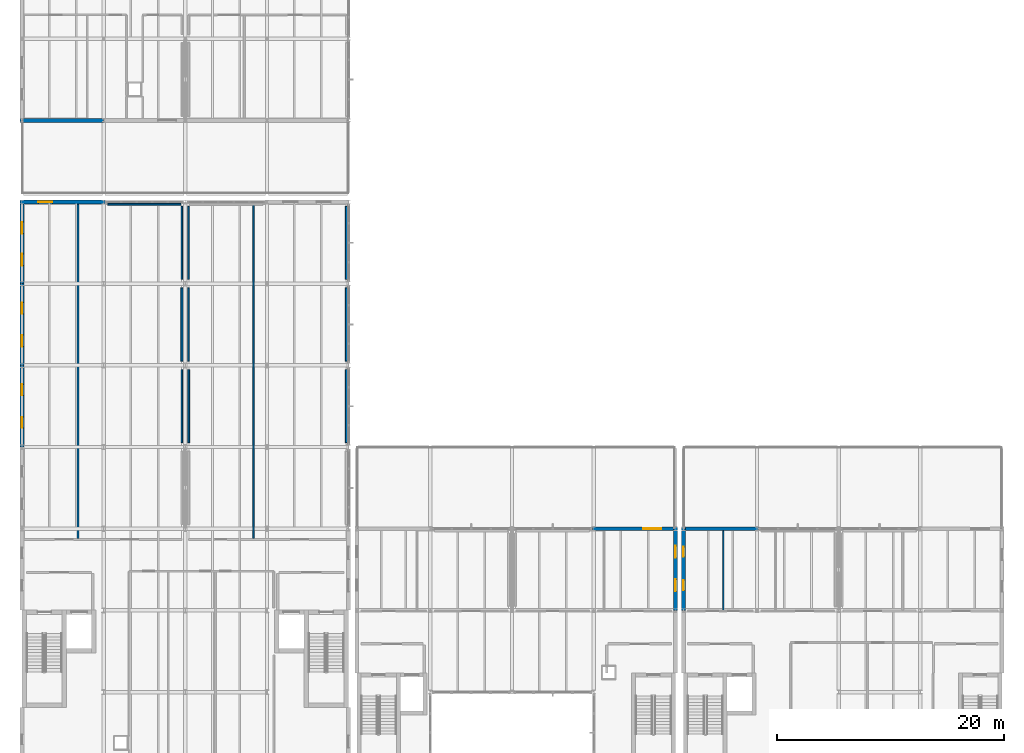
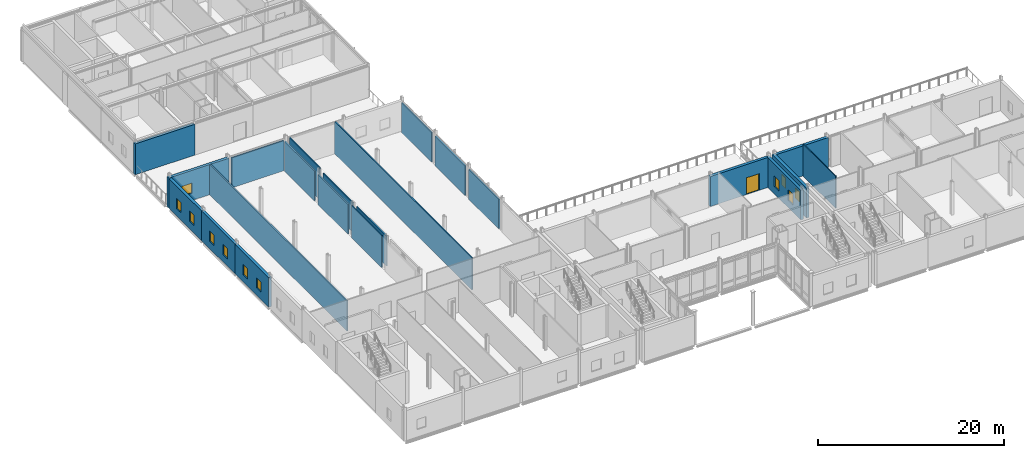
# One storey, part 38 of 53: 22 walls, 11 windows, 1 door, 12 openings.
"""IFC4 building model written with IfcOpenShell, lengths in metres."""

from ifc_helpers import new_model, si_unit, direction, frame, frame_2d, origin, place, context, subcontext, project, spatial, rectangle, extrude, material, layer, layer_set, type_object, element, fill, save


model = new_model("IFC4")

# Units and contexts
model_context = context("Model", 3, precision=1e-05, world=origin(), true_north=direction((0.0, 1.0)))
body_context = subcontext(model_context, "Body", "Model", "MODEL_VIEW")
ifc_project = project(units=[si_unit("LENGTHUNIT", "METRE"), si_unit("AREAUNIT", "SQUARE_METRE"), si_unit("VOLUMEUNIT", "CUBIC_METRE"), si_unit("PLANEANGLEUNIT", "RADIAN"), si_unit("MASSUNIT", "GRAM", prefix="KILO")], contexts=[model_context])

# Site, building, storey
site_placement = place(None, origin())
site = spatial("IfcSite", under=ifc_project, at=site_placement, CompositionType="ELEMENT")
building_placement = place(site_placement, origin())
building = spatial("IfcBuilding", under=site, at=building_placement, Name="Zarrinpeak Specialist Clinic", CompositionType="ELEMENT")
storey_placement = place(building_placement, frame((0.0, 0.0, 14.0)))
storey = spatial("IfcBuildingStorey", under=building, at=storey_placement, Name="L03", CompositionType="ELEMENT", Elevation=14.0)

# Wall, opening, window
ifc_material_1 = material(Name="Precast concrete C40/50", Category="concrete")
ifc_layer_1 = layer(ifc_material_1, 0.340087890625)
ifc_layer_set_1 = layer_set([ifc_layer_1], Name="Precast concrete C40/50")
wall_type_1 = type_object("IfcWallType", Name="WL-EW340", PredefinedType="STANDARD", material=ifc_layer_set_1)
wall_1_placement = place(storey_placement, frame((7.31005859375, 50.39990234375, 0.0), z_axis=(0.0, 0.0, 1.0), x_axis=(-1.0, 0.0, 0.0)))
wall_1 = element("IfcWall", 1, at=wall_1_placement, inside=storey, type_object=wall_type_1, Name="L03 V1 Exterior GRC Wall EW-L03-V1-0047", PredefinedType="STANDARD", context=body_context, shape_type="SweptSolid", body=[
    extrude(rectangle(XDim=7.47998046875, YDim=0.340087890625, at=frame_2d((3.739990234375, 0.0))), origin(), (0.0, 0.0, 1.0), 3.93505859375),
])
opening_1_placement = place(wall_1_placement, frame((4.618896484375, 0.0, 0.949951171875)))
opening_1 = element("IfcOpeningElement", 2, at=opening_1_placement, cuts=wall_1, Name="Opening WS-38", PredefinedType="OPENING", context=body_context, shape_type="SweptSolid", body=[
    extrude(rectangle(XDim=1.23388671875, YDim=1.33203125, at=frame_2d((0.616943359375, 0.666015625))), frame((0.0, 0.18017578125, 0.0), z_axis=(0.0, -1.0, 0.0), x_axis=(1.0, 0.0, 0.0)), (0.0, 0.0, 1.0), 0.360107421875),
])
ifc_material_2 = material(Name="Thermally Broken Aluminium and Low-E Glazing", Category="aluminium")
window_type_1 = type_object("IfcWindowType", Name="WN-SP38", PartitioningType="SINGLE_PANEL", PredefinedType="WINDOW", material=ifc_material_2)
window_1_placement = place(opening_1_placement, origin())
window_1 = element("IfcWindow", 3, at=window_1_placement, inside=storey, type_object=window_type_1, Name="L03 Modular Facade Window WN-L03-0069", OverallHeight=1.33203125, OverallWidth=1.23388671875, PartitioningType="SINGLE_PANEL", PredefinedType="WINDOW", context=body_context, shape_type="SweptSolid", body=[
    extrude(rectangle(XDim=1.23388671875, YDim=1.33203125, at=frame_2d((0.616943359375, 0.666015625))), frame((0.0, 0.030029296875, 0.0), z_axis=(0.0, -1.0, 0.0), x_axis=(1.0, 0.0, 0.0)), (0.0, 0.0, 1.0), 0.06005859375),
])
fill(opening_1, window_1)

# Wall, openings, windows
wall_2_placement = place(storey_placement, frame((0.0, 36.0, 0.0), z_axis=(0.0, 0.0, 1.0), x_axis=(0.0, -1.0, 0.0)))
wall_2 = element("IfcWall", 4, at=wall_2_placement, inside=storey, type_object=wall_type_1, Name="L03 V1 Exterior GRC Wall EW-L03-V1-0052", PredefinedType="STANDARD", context=body_context, shape_type="SweptSolid", body=[
    extrude(rectangle(XDim=7.199951171875, YDim=0.340087890625, at=frame_2d((3.60009765625, 0.0))), origin(), (0.0, 0.0, 1.0), 3.885009765625),
])
opening_2_placement = place(wall_2_placement, frame((1.678955078125, 0.0, 0.949951171875)))
opening_2 = element("IfcOpeningElement", 5, at=opening_2_placement, cuts=wall_2, Name="Opening WS-43", PredefinedType="OPENING", context=body_context, shape_type="SweptSolid", body=[
    extrude(rectangle(XDim=0.9619140625, YDim=1.367919921875, at=frame_2d((0.48095703125, 0.68408203125))), frame((0.0, 0.18017578125, 0.0), z_axis=(0.0, -1.0, 0.0), x_axis=(1.0, 0.0, 0.0)), (0.0, 0.0, 1.0), 0.360107421875),
])
opening_3_placement = place(wall_2_placement, frame((4.55908203125, 0.0, 0.949951171875)))
opening_3 = element("IfcOpeningElement", 6, at=opening_3_placement, cuts=wall_2, Name="Opening WS-43", PredefinedType="OPENING", context=body_context, shape_type="SweptSolid", body=[
    extrude(rectangle(XDim=0.9619140625, YDim=1.367919921875, at=frame_2d((0.48095703125, 0.68408203125))), frame((0.0, 0.18017578125, 0.0), z_axis=(0.0, -1.0, 0.0), x_axis=(1.0, 0.0, 0.0)), (0.0, 0.0, 1.0), 0.360107421875),
])
window_type_2 = type_object("IfcWindowType", Name="WN-SP43", PartitioningType="SINGLE_PANEL", PredefinedType="WINDOW", material=ifc_material_2)
window_2_placement = place(opening_2_placement, origin())
window_2 = element("IfcWindow", 7, at=window_2_placement, inside=storey, type_object=window_type_2, Name="L03 Modular Facade Window WN-L03-0077", OverallHeight=1.367919921875, OverallWidth=0.9619140625, PartitioningType="SINGLE_PANEL", PredefinedType="WINDOW", context=body_context, shape_type="SweptSolid", body=[
    extrude(rectangle(XDim=0.9619140625, YDim=1.367919921875, at=frame_2d((0.48095703125, 0.68408203125))), frame((0.0, 0.030029296875, 0.0), z_axis=(0.0, -1.0, 0.0), x_axis=(1.0, 0.0, 0.0)), (0.0, 0.0, 1.0), 0.06005859375),
])
fill(opening_2, window_2)
window_3_placement = place(opening_3_placement, origin())
window_3 = element("IfcWindow", 8, at=window_3_placement, inside=storey, type_object=window_type_2, Name="L03 Modular Facade Window WN-L03-0078", OverallHeight=1.367919921875, OverallWidth=0.9619140625, PartitioningType="SINGLE_PANEL", PredefinedType="WINDOW", context=body_context, shape_type="SweptSolid", body=[
    extrude(rectangle(XDim=0.9619140625, YDim=1.367919921875, at=frame_2d((0.48095703125, 0.68408203125))), frame((0.0, 0.030029296875, 0.0), z_axis=(0.0, -1.0, 0.0), x_axis=(1.0, 0.0, 0.0)), (0.0, 0.0, 1.0), 0.06005859375),
])
fill(opening_3, window_3)

wall_3_placement = place(storey_placement, frame((0.0, 43.199951171875, 0.0), z_axis=(0.0, 0.0, 1.0), x_axis=(0.0, -1.0, 0.0)))
wall_3 = element("IfcWall", 9, at=wall_3_placement, inside=storey, type_object=wall_type_1, Name="L03 V1 Exterior GRC Wall EW-L03-V1-0053", PredefinedType="STANDARD", context=body_context, shape_type="SweptSolid", body=[
    extrude(rectangle(XDim=7.199951171875, YDim=0.340087890625, at=frame_2d((3.60009765625, 0.0))), origin(), (0.0, 0.0, 1.0), 3.885009765625),
])
opening_4_placement = place(wall_3_placement, frame((1.662109375, 0.0, 0.949951171875)))
opening_4 = element("IfcOpeningElement", 10, at=opening_4_placement, cuts=wall_3, Name="Opening WS-44", PredefinedType="OPENING", context=body_context, shape_type="SweptSolid", body=[
    extrude(rectangle(XDim=0.99609375, YDim=1.367919921875, at=frame_2d((0.498046875, 0.68408203125))), frame((0.0, 0.18017578125, 0.0), z_axis=(0.0, -1.0, 0.0), x_axis=(1.0, 0.0, 0.0)), (0.0, 0.0, 1.0), 0.360107421875),
])
opening_5_placement = place(wall_3_placement, frame((4.5419921875, 0.0, 0.949951171875)))
opening_5 = element("IfcOpeningElement", 11, at=opening_5_placement, cuts=wall_3, Name="Opening WS-44", PredefinedType="OPENING", context=body_context, shape_type="SweptSolid", body=[
    extrude(rectangle(XDim=0.99609375, YDim=1.367919921875, at=frame_2d((0.498046875, 0.68408203125))), frame((0.0, 0.18017578125, 0.0), z_axis=(0.0, -1.0, 0.0), x_axis=(1.0, 0.0, 0.0)), (0.0, 0.0, 1.0), 0.360107421875),
])
window_type_3 = type_object("IfcWindowType", Name="WN-SP44", PartitioningType="SINGLE_PANEL", PredefinedType="WINDOW", material=ifc_material_2)
window_4_placement = place(opening_4_placement, origin())
window_4 = element("IfcWindow", 12, at=window_4_placement, inside=storey, type_object=window_type_3, Name="L03 Modular Facade Window WN-L03-0079", OverallHeight=1.367919921875, OverallWidth=0.99609375, PartitioningType="SINGLE_PANEL", PredefinedType="WINDOW", context=body_context, shape_type="SweptSolid", body=[
    extrude(rectangle(XDim=0.99609375, YDim=1.367919921875, at=frame_2d((0.498046875, 0.68408203125))), frame((0.0, 0.030029296875, 0.0), z_axis=(0.0, -1.0, 0.0), x_axis=(1.0, 0.0, 0.0)), (0.0, 0.0, 1.0), 0.06005859375),
])
fill(opening_4, window_4)
window_5_placement = place(opening_5_placement, origin())
window_5 = element("IfcWindow", 13, at=window_5_placement, inside=storey, type_object=window_type_3, Name="L03 Modular Facade Window WN-L03-0080", OverallHeight=1.367919921875, OverallWidth=0.99609375, PartitioningType="SINGLE_PANEL", PredefinedType="WINDOW", context=body_context, shape_type="SweptSolid", body=[
    extrude(rectangle(XDim=0.99609375, YDim=1.367919921875, at=frame_2d((0.498046875, 0.68408203125))), frame((0.0, 0.030029296875, 0.0), z_axis=(0.0, -1.0, 0.0), x_axis=(1.0, 0.0, 0.0)), (0.0, 0.0, 1.0), 0.06005859375),
])
fill(opening_5, window_5)

wall_4_placement = place(storey_placement, frame((0.0, 50.22998046875, 0.0), z_axis=(0.0, 0.0, 1.0), x_axis=(0.0, -1.0, 0.0)))
wall_4 = element("IfcWall", 14, at=wall_4_placement, inside=storey, type_object=wall_type_1, Name="L03 V1 Exterior GRC Wall EW-L03-V1-0054", PredefinedType="STANDARD", context=body_context, shape_type="SweptSolid", body=[
    extrude(rectangle(XDim=7.030029296875, YDim=0.340087890625, at=frame_2d((3.51513671875, 0.0))), origin(), (0.0, 0.0, 1.0), 3.885009765625),
])
opening_6_placement = place(wall_4_placement, frame((1.593994140625, 0.0, 0.949951171875)))
opening_6 = element("IfcOpeningElement", 15, at=opening_6_placement, cuts=wall_4, Name="Opening WS-45", PredefinedType="OPENING", context=body_context, shape_type="SweptSolid", body=[
    extrude(rectangle(XDim=1.030029296875, YDim=1.367919921875, at=frame_2d((0.51513671875, 0.68408203125))), frame((0.0, 0.18017578125, 0.0), z_axis=(0.0, -1.0, 0.0), x_axis=(1.0, 0.0, 0.0)), (0.0, 0.0, 1.0), 0.360107421875),
])
opening_7_placement = place(wall_4_placement, frame((4.406005859375, 0.0, 0.949951171875)))
opening_7 = element("IfcOpeningElement", 16, at=opening_7_placement, cuts=wall_4, Name="Opening WS-45", PredefinedType="OPENING", context=body_context, shape_type="SweptSolid", body=[
    extrude(rectangle(XDim=1.030029296875, YDim=1.367919921875, at=frame_2d((0.51513671875, 0.68408203125))), frame((0.0, 0.18017578125, 0.0), z_axis=(0.0, -1.0, 0.0), x_axis=(1.0, 0.0, 0.0)), (0.0, 0.0, 1.0), 0.360107421875),
])
window_type_4 = type_object("IfcWindowType", Name="WN-SP45", PartitioningType="SINGLE_PANEL", PredefinedType="WINDOW", material=ifc_material_2)
window_6_placement = place(opening_6_placement, origin())
window_6 = element("IfcWindow", 17, at=window_6_placement, inside=storey, type_object=window_type_4, Name="L03 Modular Facade Window WN-L03-0081", OverallHeight=1.367919921875, OverallWidth=1.030029296875, PartitioningType="SINGLE_PANEL", PredefinedType="WINDOW", context=body_context, shape_type="SweptSolid", body=[
    extrude(rectangle(XDim=1.030029296875, YDim=1.367919921875, at=frame_2d((0.51513671875, 0.68408203125))), frame((0.0, 0.030029296875, 0.0), z_axis=(0.0, -1.0, 0.0), x_axis=(1.0, 0.0, 0.0)), (0.0, 0.0, 1.0), 0.06005859375),
])
fill(opening_6, window_6)
window_7_placement = place(opening_7_placement, origin())
window_7 = element("IfcWindow", 18, at=window_7_placement, inside=storey, type_object=window_type_4, Name="L03 Modular Facade Window WN-L03-0082", OverallHeight=1.367919921875, OverallWidth=1.030029296875, PartitioningType="SINGLE_PANEL", PredefinedType="WINDOW", context=body_context, shape_type="SweptSolid", body=[
    extrude(rectangle(XDim=1.030029296875, YDim=1.367919921875, at=frame_2d((0.51513671875, 0.68408203125))), frame((0.0, 0.030029296875, 0.0), z_axis=(0.0, -1.0, 0.0), x_axis=(1.0, 0.0, 0.0)), (0.0, 0.0, 1.0), 0.06005859375),
])
fill(opening_7, window_7)

# Wall, opening, door
wall_5_placement = place(storey_placement, frame((57.429931640625, 21.60009765625, 0.0), z_axis=(0.0, 0.0, 1.0), x_axis=(-1.0, 0.0, 0.0)))
wall_5 = element("IfcWall", 19, at=wall_5_placement, inside=storey, type_object=wall_type_1, Name="L03 V2 Exterior GRC Wall EW-L03-V2-0136", PredefinedType="STANDARD", context=body_context, shape_type="SweptSolid", body=[
    extrude(rectangle(XDim=7.139892578125, YDim=0.340087890625, at=frame_2d((3.56982421875, 0.0))), origin(), (0.0, 0.0, 1.0), 3.93505859375),
])
opening_8_placement = place(wall_5_placement, frame((1.072021484375, 0.0, 0.0)))
opening_8 = element("IfcOpeningElement", 20, at=opening_8_placement, cuts=wall_5, Name="Opening D-TR2", PredefinedType="OPENING", context=body_context, shape_type="SweptSolid", body=[
    extrude(rectangle(XDim=1.60009765625, YDim=2.199951171875, at=frame_2d((0.800048828125, 1.10009765625))), frame((0.0, 0.18017578125, 0.0), z_axis=(0.0, -1.0, 0.0), x_axis=(1.0, 0.0, 0.0)), (0.0, 0.0, 1.0), 0.360107421875),
])
ifc_material_3 = material(Name="Powder-Coated Steel and Safety Glazing", Category="steel")
door_type = type_object("IfcDoorType", Name="DR-TER160", OperationType="DOUBLE_DOOR_SINGLE_SWING", PredefinedType="DOOR", material=ifc_material_3)
door_placement = place(opening_8_placement, origin())
door = element("IfcDoor", 21, at=door_placement, inside=storey, type_object=door_type, Name="L03 V2 Healing Terrace Access Door TD-03", OperationType="DOUBLE_DOOR_SINGLE_SWING", OverallHeight=2.199951171875, OverallWidth=1.60009765625, PredefinedType="DOOR", context=body_context, shape_type="SweptSolid", body=[
    extrude(rectangle(XDim=1.60009765625, YDim=2.199951171875, at=frame_2d((0.800048828125, 1.10009765625))), frame((0.0, 0.02490234375, 0.0), z_axis=(0.0, -1.0, 0.0), x_axis=(1.0, 0.0, 0.0)), (0.0, 0.0, 1.0), 0.050048828125),
])
fill(opening_8, door)

# Wall, openings, windows
wall_6_placement = place(storey_placement, frame((57.60009765625, 14.39990234375, 0.0), z_axis=(0.0, 0.0, 1.0), x_axis=(0.0, 1.0, 0.0)))
wall_6 = element("IfcWall", 22, at=wall_6_placement, inside=storey, type_object=wall_type_1, Name="L03 V2 Exterior GRC Wall EW-L03-V2-0142", PredefinedType="STANDARD", context=body_context, shape_type="SweptSolid", body=[
    extrude(rectangle(XDim=7.3701171875, YDim=0.340087890625, at=frame_2d((3.68505859375, 0.0))), origin(), (0.0, 0.0, 1.0), 3.89501953125),
])
opening_9_placement = place(wall_6_placement, frame((1.678955078125, 0.0, 0.949951171875)))
opening_9 = element("IfcOpeningElement", 23, at=opening_9_placement, cuts=wall_6, Name="Opening WS-59", PredefinedType="OPENING", context=body_context, shape_type="SweptSolid", body=[
    extrude(rectangle(XDim=1.06396484375, YDim=1.404052734375, at=frame_2d((0.531982421875, 0.7021484375))), frame((0.0, 0.18017578125, 0.0), z_axis=(0.0, -1.0, 0.0), x_axis=(1.0, 0.0, 0.0)), (0.0, 0.0, 1.0), 0.360107421875),
])
opening_10_placement = place(wall_6_placement, frame((4.626953125, 0.0, 0.949951171875)))
opening_10 = element("IfcOpeningElement", 24, at=opening_10_placement, cuts=wall_6, Name="Opening WS-59", PredefinedType="OPENING", context=body_context, shape_type="SweptSolid", body=[
    extrude(rectangle(XDim=1.06396484375, YDim=1.404052734375, at=frame_2d((0.531982421875, 0.7021484375))), frame((0.0, 0.18017578125, 0.0), z_axis=(0.0, -1.0, 0.0), x_axis=(1.0, 0.0, 0.0)), (0.0, 0.0, 1.0), 0.360107421875),
])
window_type_5 = type_object("IfcWindowType", Name="WN-SP59", PartitioningType="SINGLE_PANEL", PredefinedType="WINDOW", material=ifc_material_2)
window_8_placement = place(opening_9_placement, origin())
window_8 = element("IfcWindow", 25, at=window_8_placement, inside=storey, type_object=window_type_5, Name="L03 Modular Facade Window WN-L03-0174", OverallHeight=1.404052734375, OverallWidth=1.06396484375, PartitioningType="SINGLE_PANEL", PredefinedType="WINDOW", context=body_context, shape_type="SweptSolid", body=[
    extrude(rectangle(XDim=1.06396484375, YDim=1.404052734375, at=frame_2d((0.531982421875, 0.7021484375))), frame((0.0, 0.030029296875, 0.0), z_axis=(0.0, -1.0, 0.0), x_axis=(1.0, 0.0, 0.0)), (0.0, 0.0, 1.0), 0.06005859375),
])
fill(opening_9, window_8)
window_9_placement = place(opening_10_placement, origin())
window_9 = element("IfcWindow", 26, at=window_9_placement, inside=storey, type_object=window_type_5, Name="L03 Modular Facade Window WN-L03-0175", OverallHeight=1.404052734375, OverallWidth=1.06396484375, PartitioningType="SINGLE_PANEL", PredefinedType="WINDOW", context=body_context, shape_type="SweptSolid", body=[
    extrude(rectangle(XDim=1.06396484375, YDim=1.404052734375, at=frame_2d((0.531982421875, 0.7021484375))), frame((0.0, 0.030029296875, 0.0), z_axis=(0.0, -1.0, 0.0), x_axis=(1.0, 0.0, 0.0)), (0.0, 0.0, 1.0), 0.06005859375),
])
fill(opening_10, window_9)

# Wall
wall_7_placement = place(storey_placement, frame((64.909912109375, 21.60009765625, 0.0), z_axis=(0.0, 0.0, 1.0), x_axis=(-1.0, 0.0, 0.0)))
element("IfcWall", 27, at=wall_7_placement, inside=storey, type_object=wall_type_1, Name="L03 V4 Exterior GRC Wall EW-L03-V4-0194", PredefinedType="STANDARD", context=body_context, shape_type="SweptSolid", body=[
    extrude(rectangle(XDim=6.419921875, YDim=0.340087890625, at=frame_2d((3.2099609375, 0.0))), origin(), (0.0, 0.0, 1.0), 3.93505859375),
])

# Wall, openings, windows
wall_8_placement = place(storey_placement, frame((58.320068359375, 21.77001953125, 0.0), z_axis=(0.0, 0.0, 1.0), x_axis=(0.0, -1.0, 0.0)))
wall_8 = element("IfcWall", 28, at=wall_8_placement, inside=storey, type_object=wall_type_1, Name="L03 V4 Exterior GRC Wall EW-L03-V4-0198", PredefinedType="STANDARD", context=body_context, shape_type="SweptSolid", body=[
    extrude(rectangle(XDim=7.3701171875, YDim=0.340087890625, at=frame_2d((3.68505859375, 0.0))), origin(), (0.0, 0.0, 1.0), 3.89501953125),
])
opening_11_placement = place(wall_8_placement, frame((1.763916015625, 0.0, 0.949951171875)))
opening_11 = element("IfcOpeningElement", 29, at=opening_11_placement, cuts=wall_8, Name="Opening WS-41", PredefinedType="OPENING", context=body_context, shape_type="SweptSolid", body=[
    extrude(rectangle(XDim=0.89404296875, YDim=1.367919921875, at=frame_2d((0.447021484375, 0.68408203125))), frame((0.0, 0.18017578125, 0.0), z_axis=(0.0, -1.0, 0.0), x_axis=(1.0, 0.0, 0.0)), (0.0, 0.0, 1.0), 0.360107421875),
])
opening_12_placement = place(wall_8_placement, frame((4.7119140625, 0.0, 0.949951171875)))
opening_12 = element("IfcOpeningElement", 30, at=opening_12_placement, cuts=wall_8, Name="Opening WS-41", PredefinedType="OPENING", context=body_context, shape_type="SweptSolid", body=[
    extrude(rectangle(XDim=0.89404296875, YDim=1.367919921875, at=frame_2d((0.447021484375, 0.68408203125))), frame((0.0, 0.18017578125, 0.0), z_axis=(0.0, -1.0, 0.0), x_axis=(1.0, 0.0, 0.0)), (0.0, 0.0, 1.0), 0.360107421875),
])
window_type_6 = type_object("IfcWindowType", Name="WN-SP41", PartitioningType="SINGLE_PANEL", PredefinedType="WINDOW", material=ifc_material_2)
window_10_placement = place(opening_11_placement, origin())
window_10 = element("IfcWindow", 31, at=window_10_placement, inside=storey, type_object=window_type_6, Name="L03 Modular Facade Window WN-L03-0227", OverallHeight=1.367919921875, OverallWidth=0.89404296875, PartitioningType="SINGLE_PANEL", PredefinedType="WINDOW", context=body_context, shape_type="SweptSolid", body=[
    extrude(rectangle(XDim=0.89404296875, YDim=1.367919921875, at=frame_2d((0.447021484375, 0.68408203125))), frame((0.0, 0.030029296875, 0.0), z_axis=(0.0, -1.0, 0.0), x_axis=(1.0, 0.0, 0.0)), (0.0, 0.0, 1.0), 0.06005859375),
])
fill(opening_11, window_10)
window_11_placement = place(opening_12_placement, origin())
window_11 = element("IfcWindow", 32, at=window_11_placement, inside=storey, type_object=window_type_6, Name="L03 Modular Facade Window WN-L03-0228", OverallHeight=1.367919921875, OverallWidth=0.89404296875, PartitioningType="SINGLE_PANEL", PredefinedType="WINDOW", context=body_context, shape_type="SweptSolid", body=[
    extrude(rectangle(XDim=0.89404296875, YDim=1.367919921875, at=frame_2d((0.447021484375, 0.68408203125))), frame((0.0, 0.030029296875, 0.0), z_axis=(0.0, -1.0, 0.0), x_axis=(1.0, 0.0, 0.0)), (0.0, 0.0, 1.0), 0.06005859375),
])
fill(opening_12, window_11)

# Walls
wall_9_placement = place(storey_placement, frame((-0.169921875, 57.60009765625, 0.0), z_axis=(0.0, 0.0, 1.0), x_axis=(1.0, 0.0, 0.0)))
element("IfcWall", 33, at=wall_9_placement, inside=storey, type_object=wall_type_1, Name="L03 V5 Exterior GRC Wall EW-L03-V5-0253", PredefinedType="STANDARD", context=body_context, shape_type="SweptSolid", body=[
    extrude(rectangle(XDim=7.369873046875, YDim=0.340087890625, at=frame_2d((3.68505859375, 0.0))), origin(), (0.0, 0.0, 1.0), 4.034912109375),
])
ifc_material_4 = material(Name="Moisture-Resistant Wet-Room Partition", Category="gypsum")
ifc_layer_2 = layer(ifc_material_4, 0.125)
ifc_layer_set_2 = layer_set([ifc_layer_2], Name="Moisture-Resistant Wet-Room Partition")
wall_type_2 = type_object("IfcWallType", Name="WL-IW125W", PredefinedType="PARTITIONING", material=ifc_layer_set_2)
wall_10_placement = place(storey_placement, frame((61.820068359375, 14.41259765625, 0.0), z_axis=(0.0, 0.0, 1.0), x_axis=(0.0, 1.0, 0.0)))
element("IfcWall", 34, at=wall_10_placement, inside=storey, type_object=wall_type_2, Name="L03 Accessible Patient WC Dividing Partition", PredefinedType="PARTITIONING", context=body_context, shape_type="SweptSolid", body=[
    extrude(rectangle(XDim=6.9873046875, YDim=0.125, at=frame_2d((3.49365234375, 0.0))), origin(), (0.0, 0.0, 1.0), 4.199951171875),
])
ifc_material_5 = material(Name="Standard Drywall Partition", Category="gypsum")
ifc_layer_3 = layer(ifc_material_5, 0.135009765625)
ifc_layer_set_3 = layer_set([ifc_layer_3], Name="Standard Drywall Partition")
wall_type_3 = type_object("IfcWallType", Name="WL-IW135", PredefinedType="PARTITIONING", material=ifc_layer_set_3)
wall_11_placement = place(storey_placement, frame((14.10009765625, 29.179931640625, 0.0), z_axis=(0.0, 0.0, 1.0), x_axis=(0.0, 1.0, 0.0)))
element("IfcWall", 35, at=wall_11_placement, inside=storey, type_object=wall_type_3, Name="L03 Pain Management Procedure Suite Dividing Partition", PredefinedType="PARTITIONING", context=body_context, shape_type="SweptSolid", body=[
    extrude(rectangle(XDim=6.440185546875, YDim=0.135009765625, at=frame_2d((3.22021484375, 0.0))), origin(), (0.0, 0.0, 1.0), 4.199951171875),
])
wall_12_placement = place(storey_placement, frame((14.699951171875, 43.580078125, 0.0), z_axis=(0.0, 0.0, 1.0), x_axis=(0.0, 1.0, 0.0)))
element("IfcWall", 36, at=wall_12_placement, inside=storey, type_object=wall_type_3, Name="L03 Rheumatology Ultrasound Consult Dividing Partition", PredefinedType="PARTITIONING", context=body_context, shape_type="SweptSolid", body=[
    extrude(rectangle(XDim=6.43994140625, YDim=0.135009765625, at=frame_2d((3.219970703125, 0.0))), origin(), (0.0, 0.0, 1.0), 4.199951171875),
])
ifc_material_6 = material(Name="Acoustic Consultation Stud Partition", Category="gypsum")
ifc_layer_4 = layer(ifc_material_6, 0.14208984375)
ifc_layer_set_4 = layer_set([ifc_layer_4], Name="Acoustic Consultation Stud Partition")
wall_type_4 = type_object("IfcWallType", Name="WL-IW142", PredefinedType="PARTITIONING", material=ifc_layer_set_4)
wall_13_placement = place(storey_placement, frame((14.699951171875, 36.3798828125, 0.0), z_axis=(0.0, 0.0, 1.0), x_axis=(0.0, 1.0, 0.0)))
element("IfcWall", 37, at=wall_13_placement, inside=storey, type_object=wall_type_4, Name="L03 Rheumatology Ultrasound Consult Dividing Partition", PredefinedType="PARTITIONING", context=body_context, shape_type="SweptSolid", body=[
    extrude(rectangle(XDim=6.440185546875, YDim=0.14208984375, at=frame_2d((3.22021484375, 0.0))), origin(), (0.0, 0.0, 1.0), 3.89501953125),
])
wall_14_placement = place(storey_placement, frame((20.39990234375, 20.720947265625, 0.0), z_axis=(0.0, 0.0, 1.0), x_axis=(0.0, 1.0, 0.0)))
element("IfcWall", 38, at=wall_14_placement, inside=storey, type_object=wall_type_4, Name="L03 Rheumatology Ultrasound Consult Dividing Partition", PredefinedType="PARTITIONING", context=body_context, shape_type="SweptSolid", body=[
    extrude(rectangle(XDim=29.407958984375, YDim=0.14208984375, at=frame_2d((14.7041015625, 0.0))), origin(), (0.0, 0.0, 1.0), 4.199951171875),
])
ifc_material_7 = material(Name="Insulated Clinical Gypsum Stud Partition", Category="gypsum")
ifc_layer_5 = layer(ifc_material_7, 0.14990234375)
ifc_layer_set_5 = layer_set([ifc_layer_5], Name="Insulated Clinical Gypsum Stud Partition")
wall_type_5 = type_object("IfcWallType", Name="WL-IW150", PredefinedType="PARTITIONING", material=ifc_layer_set_5)
wall_15_placement = place(storey_placement, frame((4.949951171875, 20.72998046875, 0.0), z_axis=(0.0, 0.0, 1.0), x_axis=(0.0, 1.0, 0.0)))
element("IfcWall", 39, at=wall_15_placement, inside=storey, type_object=wall_type_5, Name="L03 Orthopaedic Cast and Splint Clinic Dividing Partition", PredefinedType="PARTITIONING", context=body_context, shape_type="SweptSolid", body=[
    extrude(rectangle(XDim=29.469970703125, YDim=0.14990234375, at=frame_2d((14.73486328125, 0.0))), origin(), (0.0, 0.0, 1.0), 3.945068359375),
])
wall_16_placement = place(storey_placement, frame((14.10009765625, 43.580078125, 0.0), z_axis=(0.0, 0.0, 1.0), x_axis=(0.0, 1.0, 0.0)))
element("IfcWall", 40, at=wall_16_placement, inside=storey, type_object=wall_type_5, Name="L03 Pain Management Procedure Suite Dividing Partition", PredefinedType="PARTITIONING", context=body_context, shape_type="SweptSolid", body=[
    extrude(rectangle(XDim=6.43994140625, YDim=0.14990234375, at=frame_2d((3.219970703125, 0.0))), origin(), (0.0, 0.0, 1.0), 3.89501953125),
])
wall_17_placement = place(storey_placement, frame((14.699951171875, 29.179931640625, 0.0), z_axis=(0.0, 0.0, 1.0), x_axis=(0.0, 1.0, 0.0)))
element("IfcWall", 41, at=wall_17_placement, inside=storey, type_object=wall_type_5, Name="L03 Rheumatology Ultrasound Consult Dividing Partition", PredefinedType="PARTITIONING", context=body_context, shape_type="SweptSolid", body=[
    extrude(rectangle(XDim=6.440185546875, YDim=0.14990234375, at=frame_2d((3.22021484375, 0.0))), origin(), (0.0, 0.0, 1.0), 3.89501953125),
])
ifc_material_8 = material(Name="Lead-Lined X-Ray Diagnostic Partition", Category="gypsum")
ifc_layer_6 = layer(ifc_material_8, 0.157958984375)
ifc_layer_set_6 = layer_set([ifc_layer_6], Name="Lead-Lined X-Ray Diagnostic Partition")
wall_type_6 = type_object("IfcWallType", Name="WL-IW158", PredefinedType="PARTITIONING", material=ifc_layer_set_6)
for number, where, z_axis, x_axis, name in (
    (42, (28.60009765625, 29.179931640625, 0.0), (0.0, 0.0, 1.0), (0.0, 1.0, 0.0), "L03 Gait Motion Analysis Room Dividing Partition"),
    (43, (28.60009765625, 36.3798828125, 0.0), (0.0, 0.0, 1.0), (0.0, 1.0, 0.0), "L03 Gait Motion Analysis Room Dividing Partition"),
):
    element("IfcWall", number, at=place(storey_placement, frame(where, z_axis=z_axis, x_axis=x_axis)), inside=storey, type_object=wall_type_6, Name=name, PredefinedType="PARTITIONING", context=body_context, shape_type="SweptSolid", body=[
        extrude(rectangle(XDim=6.440185546875, YDim=0.157958984375, at=frame_2d((3.22021484375, 0.0))), origin(), (0.0, 0.0, 1.0), 3.885009765625),
    ])
wall_18_placement = place(storey_placement, frame((28.60009765625, 43.580078125, 0.0), z_axis=(0.0, 0.0, 1.0), x_axis=(0.0, 1.0, 0.0)))
element("IfcWall", 44, at=wall_18_placement, inside=storey, type_object=wall_type_6, Name="L03 Gait Motion Analysis Room Dividing Partition", PredefinedType="PARTITIONING", context=body_context, shape_type="SweptSolid", body=[
    extrude(rectangle(XDim=6.43994140625, YDim=0.157958984375, at=frame_2d((3.219970703125, 0.0))), origin(), (0.0, 0.0, 1.0), 3.885009765625),
])
ifc_material_9 = material(Name="Acoustic Double Gypsum Stud Partition", Category="gypsum")
ifc_layer_7 = layer(ifc_material_9, 0.159912109375)
ifc_layer_set_7 = layer_set([ifc_layer_7], Name="Acoustic Double Gypsum Stud Partition")
wall_type_7 = type_object("IfcWallType", Name="WL-IW160", PredefinedType="PARTITIONING", material=ifc_layer_set_7)
wall_19_placement = place(storey_placement, frame((7.580078125, 50.199951171875, 0.0), z_axis=(0.0, 0.0, 1.0), x_axis=(1.0, 0.0, 0.0)))
element("IfcWall", 45, at=wall_19_placement, inside=storey, type_object=wall_type_7, Name="L03 Pain Management Procedure Suite Partition", PredefinedType="PARTITIONING", context=body_context, shape_type="SweptSolid", body=[
    extrude(rectangle(XDim=6.43994140625, YDim=0.159912109375, at=frame_2d((3.219970703125, 0.0))), origin(), (0.0, 0.0, 1.0), 3.93505859375),
])
wall_20_placement = place(storey_placement, frame((14.10009765625, 36.3798828125, 0.0), z_axis=(0.0, 0.0, 1.0), x_axis=(0.0, 1.0, 0.0)))
element("IfcWall", 46, at=wall_20_placement, inside=storey, type_object=wall_type_7, Name="L03 Pain Management Procedure Suite Dividing Partition", PredefinedType="PARTITIONING", context=body_context, shape_type="SweptSolid", body=[
    extrude(rectangle(XDim=6.440185546875, YDim=0.159912109375, at=frame_2d((3.22021484375, 0.0))), origin(), (0.0, 0.0, 1.0), 3.89501953125),
])

save(model, "model.ifc")
